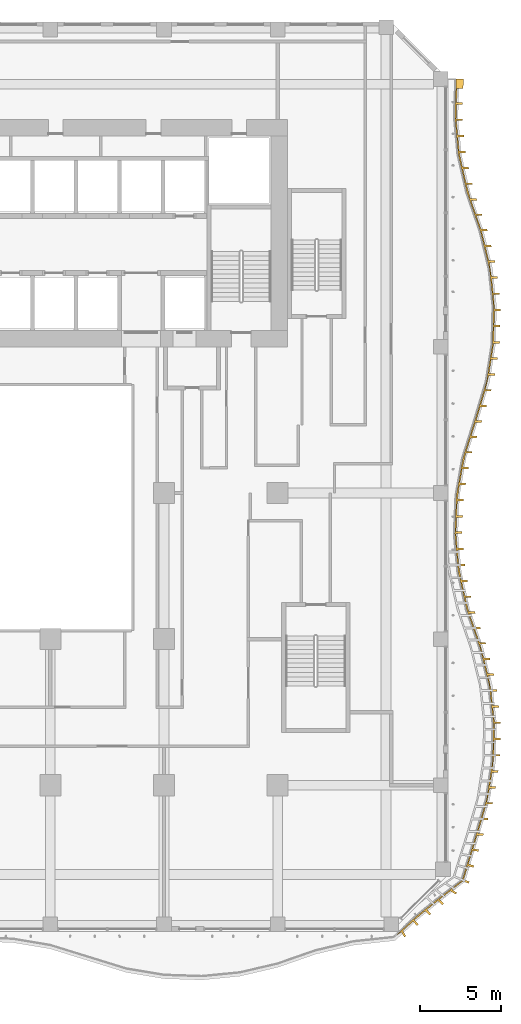
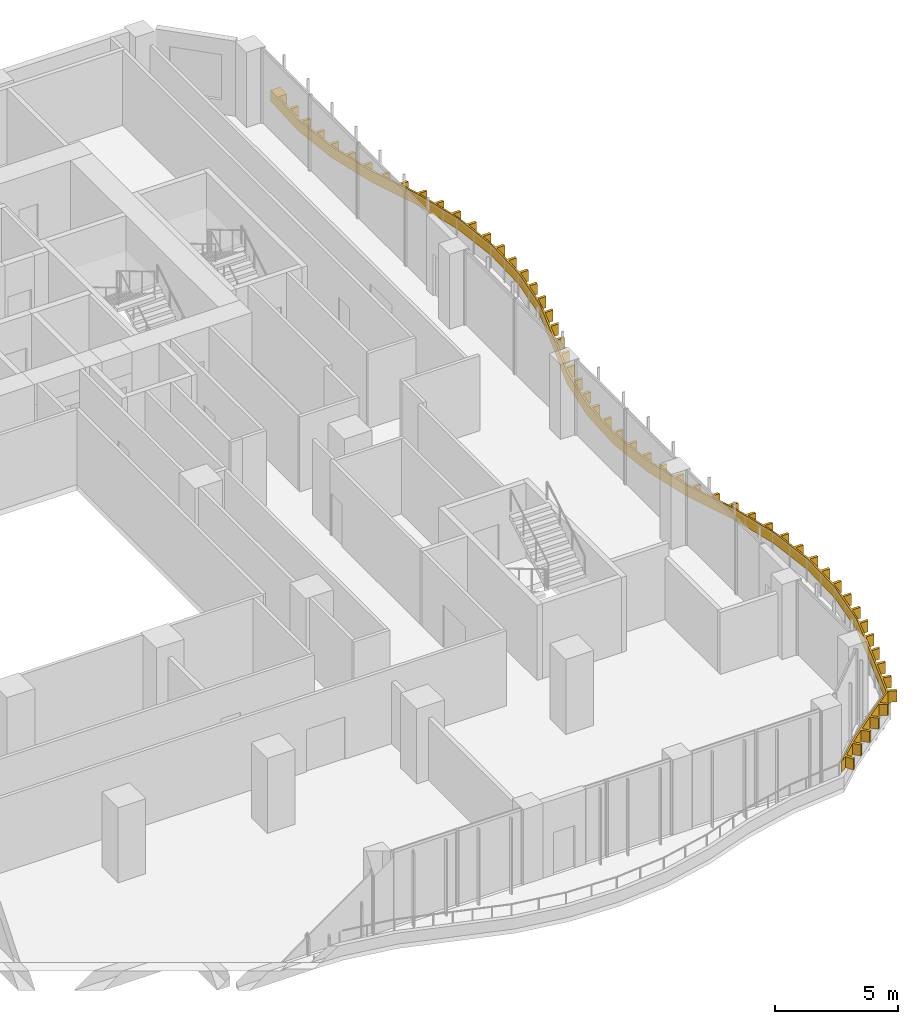
# One storey, part 24 of 27: 1 shading device.
"""IFC4 building model written with IfcOpenShell, lengths in metres."""

from ifc_helpers import new_model, si_unit, direction, frame, origin, place, context, subcontext, project, spatial, polyline, outline, extrude, source, transform, mapped, material, layer, layer_set, type_object, element, save


model = new_model("IFC4")

# Units and contexts
model_context = context("Model", 3, precision=1e-05, world=origin(), true_north=direction((0.0, 1.0)))
body_context = subcontext(model_context, "Body", "Model", "MODEL_VIEW")
ifc_project = project(units=[si_unit("LENGTHUNIT", "METRE"), si_unit("AREAUNIT", "SQUARE_METRE"), si_unit("VOLUMEUNIT", "CUBIC_METRE"), si_unit("PLANEANGLEUNIT", "RADIAN"), si_unit("MASSUNIT", "GRAM", prefix="KILO")], contexts=[model_context])

# Site, building, storey
site_placement = place(None, origin())
site = spatial("IfcSite", under=ifc_project, at=site_placement, CompositionType="ELEMENT")
building_placement = place(site_placement, origin())
building = spatial("IfcBuilding", under=site, at=building_placement, Name="Kilnfold Tower and Market Hall", CompositionType="ELEMENT")
storey_placement = place(building_placement, frame((0.0, 0.0, 43.0)))
storey = spatial("IfcBuildingStorey", under=building, at=storey_placement, Name="L09", CompositionType="ELEMENT", Elevation=43.0)

# Shading device
ifc_material = material(Name="Bronze anodised aluminium", Category="aluminium")
ifc_layer = layer(ifc_material, 0.550048828125)
ifc_layer_set = layer_set([ifc_layer], Name="Bronze anodised aluminium")
shading_device_type = type_object("IfcShadingDeviceType", Name="BRONZE SLAT FASCIA 550", PredefinedType="USERDEFINED", material=ifc_layer_set)
shared_shape = source(origin(), body_context, "Body", "SweptSolid", [
    extrude(outline(polyline([(25.305419921875, -28.3583984375), (25.123779296875, -28.041015625), (24.79638671875, -28.248291015625), (25.969970703125, -27.136474609375), (27.257568359375, -26.0908203125), (28.858154296875, -24.85546875), (29.680419921875, -22.166748046875), (30.371337890625, -19.833251953125), (30.732177734375, -17.5), (30.782958984375, -15.166748046875), (30.52685546875, -12.833251953125), (29.949462890625, -10.5), (29.141357421875, -8.166748046875), (28.6142578125, -5.833251953125), (28.405029296875, -3.5), (28.50244140625, -1.166748046875), (28.91162109375, 1.166748046875), (29.654052734375, 3.5), (30.355224609375, 5.833251953125), (30.725830078125, 8.166748046875), (30.785888671875, 10.5), (30.539306640625, 12.833251953125), (29.971923828125, 15.166748046875), (29.16259765625, 17.5), (28.62548828125, 19.833251953125), (28.406982421875, 22.166748046875), (28.494873046875, 24.5), (28.94482421875, 24.5), (28.92333984375, 23.92626953125), (28.55322265625, 23.92626953125), (28.52001953125, 23.046875), (28.89013671875, 23.046875), (28.885498046875, 22.927001953125), (28.515625, 22.927001953125), (28.498046875, 22.048095703125), (28.867919921875, 22.048095703125), (28.879150390625, 21.9287109375), (28.50927734375, 21.9287109375), (28.59130859375, 21.052490234375), (28.961181640625, 21.052490234375), (28.972412109375, 20.932861328125), (28.6025390625, 20.932861328125), (28.6845703125, 20.056884765625), (29.0546875, 20.056884765625), (29.06591796875, 19.937255859375), (28.69580078125, 19.937255859375), (28.87939453125, 19.077392578125), (29.24951171875, 19.077392578125), (29.2763671875, 18.960693359375), (28.906494140625, 18.960693359375), (29.103759765625, 18.10302734375), (29.473876953125, 18.10302734375), (29.500732421875, 17.986083984375), (29.130615234375, 17.986083984375), (29.367431640625, 17.139892578125), (29.737548828125, 17.139892578125), (29.77685546875, 17.026611328125), (29.40673828125, 17.026611328125), (29.6953125, 16.195068359375), (30.065185546875, 16.195068359375), (30.1044921875, 16.081787109375), (29.734619140625, 16.081787109375), (30.02294921875, 15.250244140625), (30.392822265625, 15.250244140625), (30.421875, 15.166748046875), (30.429443359375, 15.135986328125), (30.059326171875, 15.135986328125), (30.26708984375, 14.281005859375), (30.63720703125, 14.281005859375), (30.66552734375, 14.164306640625), (30.295654296875, 14.164306640625), (30.50341796875, 13.309326171875), (30.87353515625, 13.309326171875), (30.90185546875, 13.192626953125), (30.53173828125, 13.192626953125), (30.6728515625, 12.325927734375), (31.04296875, 12.325927734375), (31.055419921875, 12.20654296875), (30.685546875, 12.20654296875), (30.778076171875, 11.33154296875), (31.148193359375, 11.33154296875), (31.16064453125, 11.212158203125), (30.790771484375, 11.212158203125), (30.86181640625, 10.336181640625), (31.231689453125, 10.336181640625), (31.228759765625, 10.21630859375), (30.858642578125, 10.21630859375), (30.8359375, 9.33642578125), (31.2060546875, 9.33642578125), (31.202880859375, 9.216552734375), (30.8330078125, 9.216552734375), (30.810302734375, 8.3369140625), (31.18017578125, 8.3369140625), (31.177001953125, 8.216796875), (30.80712890625, 8.216796875), (30.67578125, 7.34716796875), (31.045654296875, 7.34716796875), (31.02685546875, 7.228759765625), (30.656982421875, 7.228759765625), (30.518798828125, 6.359619140625), (30.888916015625, 6.359619140625), (30.8701171875, 6.240966796875), (30.5, 6.240966796875), (30.30078125, 5.385986328125), (30.6708984375, 5.385986328125), (30.63623046875, 5.27099609375), (30.266357421875, 5.27099609375), (30.012939453125, 4.42822265625), (30.383056640625, 4.42822265625), (30.348388671875, 4.313232421875), (29.978515625, 4.313232421875), (29.724609375, 3.470703125), (30.0947265625, 3.470703125), (30.058349609375, 3.3564453125), (29.688232421875, 3.3564453125), (29.42138671875, 2.517822265625), (29.79150390625, 2.517822265625), (29.755126953125, 2.4033203125), (29.385009765625, 2.4033203125), (29.1181640625, 1.56494140625), (29.48828125, 1.56494140625), (29.451904296875, 1.450439453125), (29.081787109375, 1.450439453125), (28.89111328125, 0.59326171875), (29.260986328125, 0.59326171875), (29.240234375, 0.47509765625), (28.8701171875, 0.47509765625), (28.71826171875, -0.3916015625), (29.08837890625, -0.3916015625), (29.067626953125, -0.510009765625), (28.697509765625, -0.510009765625), (28.573486328125, -1.379638671875), (28.943603515625, -1.379638671875), (28.9384765625, -1.49951171875), (28.568603515625, -1.49951171875), (28.53173828125, -2.37890625), (28.90185546875, -2.37890625), (28.896728515625, -2.498779296875), (28.52685546875, -2.498779296875), (28.489990234375, -3.3779296875), (28.860107421875, -3.3779296875), (28.85498046875, -3.497802734375), (28.485107421875, -3.497802734375), (28.5634765625, -4.374267578125), (28.933349609375, -4.374267578125), (28.944091796875, -4.493896484375), (28.57421875, -4.493896484375), (28.65283203125, -5.370361328125), (29.022705078125, -5.370361328125), (29.033447265625, -5.48974609375), (28.66357421875, -5.48974609375), (28.812255859375, -6.355224609375), (29.18212890625, -6.355224609375), (29.20849609375, -6.472412109375), (28.838623046875, -6.472412109375), (29.032470703125, -7.330810546875), (29.402587890625, -7.330810546875), (29.428955078125, -7.44775390625), (29.058837890625, -7.44775390625), (29.26806640625, -8.3017578125), (29.63818359375, -8.3017578125), (29.677490234375, -8.415283203125), (29.307373046875, -8.415283203125), (29.595458984375, -9.24658203125), (29.96533203125, -9.24658203125), (30.004638671875, -9.360107421875), (29.634521484375, -9.360107421875), (29.922607421875, -10.191650390625), (30.29248046875, -10.191650390625), (30.331787109375, -10.30517578125), (29.9619140625, -10.30517578125), (30.191162109375, -11.154052734375), (30.561279296875, -11.154052734375), (30.590087890625, -11.2705078125), (30.22021484375, -11.2705078125), (30.431396484375, -12.124755859375), (30.801513671875, -12.124755859375), (30.830322265625, -12.2412109375), (30.460205078125, -12.2412109375), (30.63623046875, -13.101806640625), (31.00634765625, -13.101806640625), (31.019287109375, -13.220947265625), (30.6494140625, -13.220947265625), (30.745361328125, -14.095703125), (31.115478515625, -14.095703125), (31.12841796875, -14.215087890625), (30.758544921875, -14.215087890625), (30.8544921875, -15.08984375), (31.224609375, -15.08984375), (31.23291015625, -15.166748046875), (31.232177734375, -15.209228515625), (30.862060546875, -15.209228515625), (30.843017578125, -16.089111328125), (31.212890625, -16.089111328125), (31.210205078125, -16.208984375), (30.84033203125, -16.208984375), (30.821044921875, -17.0888671875), (31.191162109375, -17.0888671875), (31.1884765625, -17.208740234375), (30.818603515625, -17.208740234375), (30.72216796875, -18.081787109375), (31.092041015625, -18.081787109375), (31.07373046875, -18.200439453125), (30.703857421875, -18.200439453125), (30.5693359375, -19.070068359375), (30.939208984375, -19.070068359375), (30.9208984375, -19.188720703125), (30.551025390625, -19.188720703125), (30.38671875, -20.0517578125), (30.756591796875, -20.0517578125), (30.72265625, -20.166748046875), (30.3525390625, -20.166748046875), (30.102783203125, -21.010498046875), (30.472900390625, -21.010498046875), (30.438720703125, -21.12548828125), (30.068603515625, -21.12548828125), (29.81884765625, -21.969482421875), (30.18896484375, -21.969482421875), (30.15478515625, -22.08447265625), (29.784912109375, -22.08447265625), (29.531005859375, -22.9140625), (29.89501953125, -22.953125), (29.859619140625, -23.072021484375), (29.496337890625, -23.02685546875), (29.243896484375, -23.85498046875), (29.5986328125, -23.943359375), (29.56298828125, -24.06201171875), (29.209716796875, -23.9677734375), (28.958984375, -24.79638671875), (29.30224609375, -24.93359375), (29.27392578125, -25.027587890625), (29.25390625, -25.044189453125), (28.912841796875, -24.90087890625), (28.231689453125, -25.429443359375), (28.541015625, -25.6240234375), (28.443603515625, -25.703125), (28.13916015625, -25.50146484375), (27.461181640625, -26.03173828125), (27.730712890625, -26.282958984375), (27.63330078125, -26.362060546875), (27.368896484375, -26.104248046875), (26.686279296875, -26.6572265625), (26.947998046875, -26.9189453125), (26.854736328125, -26.99462890625), (26.593017578125, -26.73291015625), (25.91943359375, -27.29296875), (26.172119140625, -27.5615234375), (26.0791015625, -27.646728515625), (25.833984375, -27.372802734375), (25.208740234375, -27.96044921875), (25.398193359375, -28.27294921875), (25.305419921875, -28.3583984375)])), origin(), (0.0, 0.0, 1.0), 0.550048828125),
])
shading_device_placement = place(storey_placement, frame((0.0, 0.0, 0.550048828125)))
element("IfcShadingDevice", 1, at=shading_device_placement, inside=storey, type_object=shading_device_type, Name="Balcony slat fascia L09", ObjectType="SLAT", PredefinedType="USERDEFINED", context=body_context, shape_type="MappedRepresentation", body=[
    mapped(shared_shape, transform((0.0, 0.0, 0.0))),
])

save(model, "model.ifc")
